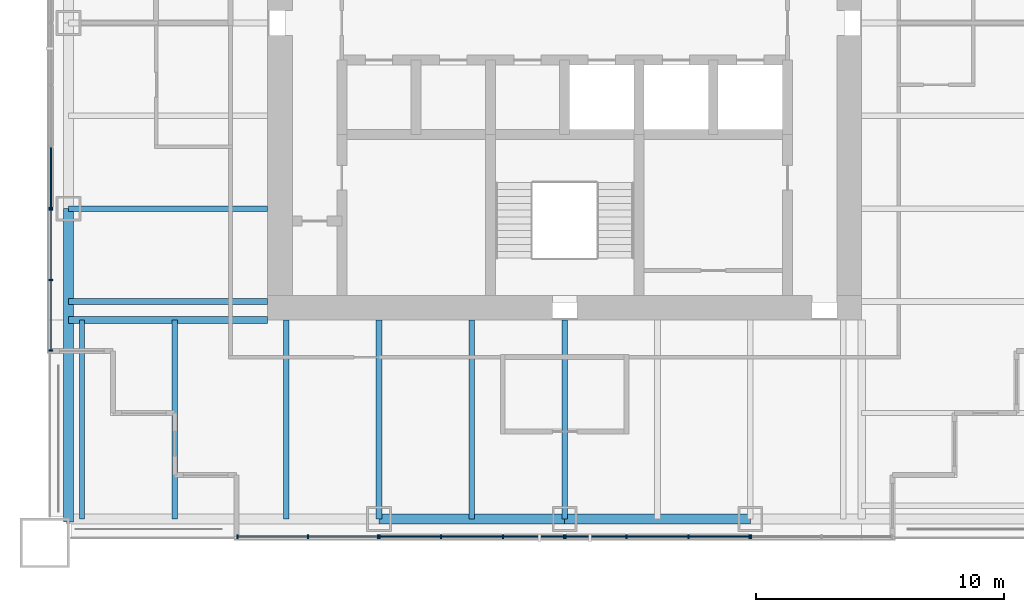
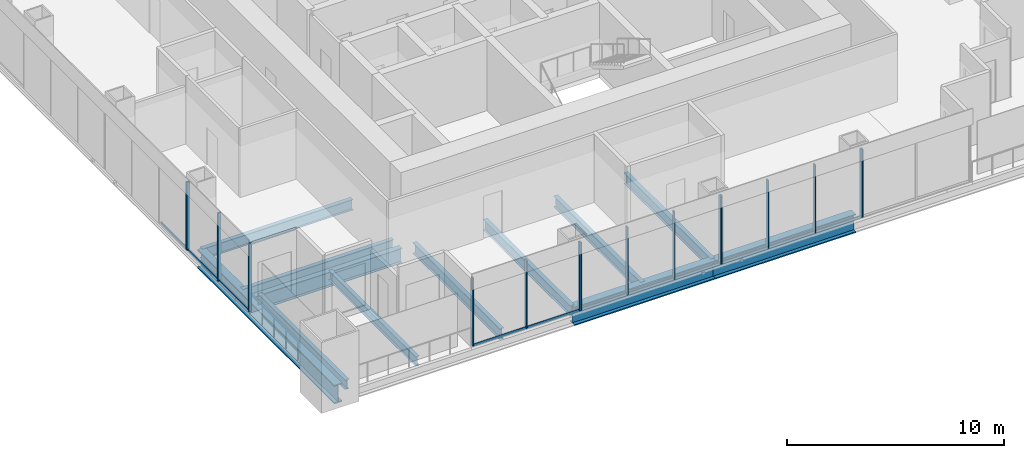
# One storey, part 2 of 14: 27 members, 12 beams, 6 elements without a shape of their own.
"""IFC4 building model written with IfcOpenShell, lengths in metres."""

from ifc_helpers import new_model, si_unit, direction, frame, origin, origin_2d, place, context, subcontext, project, spatial, rectangle, i_section, extrude, material, material_profile, profile_set, type_object, element, aggregate, save


model = new_model("IFC4")

# Units and contexts
model_context = context("Model", 3, precision=1e-05, world=origin(), true_north=direction((0.0, 1.0)))
body_context = subcontext(model_context, "Body", "Model", "MODEL_VIEW")
ifc_project = project(units=[si_unit("LENGTHUNIT", "METRE"), si_unit("AREAUNIT", "SQUARE_METRE"), si_unit("VOLUMEUNIT", "CUBIC_METRE"), si_unit("PLANEANGLEUNIT", "RADIAN"), si_unit("MASSUNIT", "GRAM", prefix="KILO")], contexts=[model_context])

# Site, building, storey
site_placement = place(None, origin())
site = spatial("IfcSite", under=ifc_project, at=site_placement, CompositionType="ELEMENT")
building_placement = place(site_placement, origin())
building = spatial("IfcBuilding", under=site, at=building_placement, Name="Tarangal Relay Tower", CompositionType="ELEMENT")
storey_placement = place(building_placement, frame((0.0, 0.0, 279.89990234375)))
storey = spatial("IfcBuildingStorey", under=building, at=storey_placement, Name="L61", CompositionType="ELEMENT", Elevation=279.89990234375)

# Beams
ifc_material_1 = material(Name="Steel ASTM A992", Category="steel")
ifc_material_profile_1 = material_profile(ifc_material_1, i_section(OverallWidth=0.209228515625, OverallDepth=0.533447265625, WebThickness=0.01025390625, FlangeThickness=0.015625, at=origin_2d()), Name="W21X62")
ifc_profile_set_1 = profile_set([ifc_material_profile_1], Name="Steel ASTM A992")
beam_type_1 = type_object("IfcBeamType", Name="Corner beam W21X62", PredefinedType="JOIST", material=ifc_profile_set_1)
for number, where, z_axis, x_axis, name in (
    (1, (-15.75, -12.0, -0.41650390625), (0.0, -1.0, 0.0), (1.0, 0.0, 0.0), "Corner beam CB12 S L61"),
    (2, (-19.5, -12.0, -0.41650390625), (0.0, -1.0, 0.0), (1.0, 0.0, 0.0), "Corner beam CB12 S L61"),
):
    element("IfcBeam", number, at=place(storey_placement, frame(where, z_axis=z_axis, x_axis=x_axis)), inside=storey, type_object=beam_type_1, Name=name, PredefinedType="JOIST", context=body_context, shape_type="SweptSolid", body=[
        extrude(i_section(OverallWidth=0.209228515625, OverallDepth=0.533447265625, WebThickness=0.01025390625, FlangeThickness=0.015625, at=origin_2d()), origin(), (0.0, 0.0, 1.0), 8.0400390625),
    ])
ifc_material_profile_2 = material_profile(ifc_material_1, i_section(OverallWidth=0.2919921875, OverallDepth=0.8408203125, WebThickness=0.0146484375, FlangeThickness=0.021728515625, at=origin_2d()), Name="W33X130")
ifc_profile_set_2 = profile_set([ifc_material_profile_2], Name="Steel ASTM A992")
beam_type_2 = type_object("IfcBeamType", Name="Corner girder W33X130", PredefinedType="BEAM", material=ifc_profile_set_2)
beam_1_placement = place(storey_placement, frame((-12.0, -12.0, -0.5703125), z_axis=(-1.0, 0.0, 0.0), x_axis=(0.0, -1.0, 0.0)))
element("IfcBeam", 3, at=beam_1_placement, inside=storey, type_object=beam_type_2, Name="Corner girder CG5 S L61", PredefinedType="BEAM", context=body_context, shape_type="SweptSolid", body=[
    extrude(i_section(OverallWidth=0.2919921875, OverallDepth=0.8408203125, WebThickness=0.0146484375, FlangeThickness=0.021728515625, at=origin_2d()), origin(), (0.0, 0.0, 1.0), 8.0400390625),
])
ifc_material_profile_3 = material_profile(ifc_material_1, i_section(OverallWidth=0.41162109375, OverallDepth=1.049072265625, WebThickness=0.033935546875, FlangeThickness=0.059814453125, at=origin_2d()), Name="W40X431")
ifc_profile_set_3 = profile_set([ifc_material_profile_3], Name="Steel ASTM A992")
beam_type_3 = type_object("IfcBeamType", Name="Edge girder W40X431", PredefinedType="SPANDREL", material=ifc_profile_set_3)
for number, where, z_axis, x_axis, name in (
    (4, (7.5, -20.0400390625, -0.67431640625), (-1.0, 0.0, 0.0), (0.0, -1.0, 0.0), "Edge girder EG1 S L61"),
    (5, (0.0, -20.0400390625, -0.67431640625), (-1.0, 0.0, 0.0), (0.0, -1.0, 0.0), "Edge girder EG1 S L61"),
):
    element("IfcBeam", number, at=place(storey_placement, frame(where, z_axis=z_axis, x_axis=x_axis)), inside=storey, type_object=beam_type_3, Name=name, PredefinedType="SPANDREL", context=body_context, shape_type="SweptSolid", body=[
        extrude(i_section(OverallWidth=0.41162109375, OverallDepth=1.049072265625, WebThickness=0.033935546875, FlangeThickness=0.059814453125, at=origin_2d()), origin(), (0.0, 0.0, 1.0), 7.5),
    ])
beam_2_placement = place(storey_placement, frame((-20.0400390625, -20.14990234375, -0.67431640625), z_axis=(0.0, 1.0, 0.0), x_axis=(-1.0, 0.0, 0.0)))
element("IfcBeam", 6, at=beam_2_placement, inside=storey, type_object=beam_type_3, Name="Edge girder EG1 W L61", PredefinedType="SPANDREL", context=body_context, shape_type="SweptSolid", body=[
    extrude(i_section(OverallWidth=0.41162109375, OverallDepth=1.049072265625, WebThickness=0.033935546875, FlangeThickness=0.059814453125, at=origin_2d()), origin(), (0.0, 0.0, 1.0), 12.64990234375),
])
ifc_material_profile_4 = material_profile(ifc_material_1, i_section(OverallWidth=0.228271484375, OverallDepth=0.607177734375, WebThickness=0.01123046875, FlangeThickness=0.017333984375, at=origin_2d()), Name="W24X76")
ifc_profile_set_4 = profile_set([ifc_material_profile_4], Name="Steel ASTM A992")
beam_type_4 = type_object("IfcBeamType", Name="Floor beam W24X76", PredefinedType="BEAM", material=ifc_profile_set_4)
for number, where, z_axis, x_axis, name in (
    (7, (0.0, -12.0, -0.453369140625), (0.0, -1.0, 0.0), (1.0, 0.0, 0.0), "Floor beam RB5 S L61"),
    (8, (-3.75, -12.0, -0.453369140625), (0.0, -1.0, 0.0), (1.0, 0.0, 0.0), "Floor beam RB5 S L61"),
    (9, (-7.5, -12.0, -0.453369140625), (0.0, -1.0, 0.0), (1.0, 0.0, 0.0), "Floor beam RB5 S L61"),
    (10, (-11.25, -12.0, -0.453369140625), (0.0, -1.0, 0.0), (1.0, 0.0, 0.0), "Floor beam RB5 S L61"),
    (11, (-12.0, -11.25, -0.453369140625), (-1.0, 0.0, 0.0), (0.0, -1.0, 0.0), "Floor beam RB5 W L61"),
    (12, (-12.0, -7.5, -0.453369140625), (-1.0, 0.0, 0.0), (0.0, -1.0, 0.0), "Floor beam RB5 W L61"),
):
    element("IfcBeam", number, at=place(storey_placement, frame(where, z_axis=z_axis, x_axis=x_axis)), inside=storey, type_object=beam_type_4, Name=name, PredefinedType="BEAM", context=body_context, shape_type="SweptSolid", body=[
        extrude(i_section(OverallWidth=0.228271484375, OverallDepth=0.607177734375, WebThickness=0.01123046875, FlangeThickness=0.017333984375, at=origin_2d()), origin(), (0.0, 0.0, 1.0), 8.0400390625),
    ])

# Curtain wall, member
ifc_material_2 = material(Name="Unitised curtain wall, dark glass and black aluminium", Category="aluminium")
curtain_wall_type_1 = type_object("IfcCurtainWallType", Name="Curtain wall CW-B", PredefinedType="USERDEFINED", material=ifc_material_2)
curtain_wall_1_placement = place(storey_placement, origin())
curtain_wall_1 = element("IfcCurtainWall", 13, at=curtain_wall_1_placement, inside=storey, type_object=curtain_wall_type_1, Name="Curtain wall CW-B S facade L61", ObjectType="UNITISED CURTAIN WALL", PredefinedType="USERDEFINED")
ifc_material_3 = material(Name="Black anodised aluminium mullion", Category="aluminium")
ifc_material_profile_5 = material_profile(ifc_material_3, rectangle(XDim=0.159912109375, YDim=0.06005859375, at=origin_2d()), Name="CW-BM 60X160")
ifc_profile_set_5 = profile_set([ifc_material_profile_5], Name="Black anodised aluminium mullion")
member_type_1 = type_object("IfcMemberType", Name="Mullion CW-B 60 x 160", PredefinedType="MULLION", material=ifc_profile_set_5)
member_1_placement = place(storey_placement, frame((7.530029296875, -20.75, 0.0), z_axis=(0.0, 0.0, 1.0), x_axis=(0.0, -1.0, 0.0)))
member_1 = element("IfcMember", 14, at=member_1_placement, type_object=member_type_1, Name="CW-B mullion 3", PredefinedType="MULLION", context=body_context, shape_type="SweptSolid", body=[
    extrude(rectangle(XDim=0.159912109375, YDim=0.06005859375, at=origin_2d()), origin(), (0.0, 0.0, 1.0), 3.85009765625),
])
aggregate(curtain_wall_1, [member_1])

# Curtain wall, members
curtain_wall_2_placement = place(storey_placement, origin())
curtain_wall_2 = element("IfcCurtainWall", 15, at=curtain_wall_2_placement, inside=storey, type_object=curtain_wall_type_1, Name="Curtain wall CW-B S facade L61", ObjectType="UNITISED CURTAIN WALL", PredefinedType="USERDEFINED")
member_2_placement = place(storey_placement, frame((-7.530029296875, -20.75, 0.0), z_axis=(0.0, 0.0, 1.0), x_axis=(0.0, -1.0, 0.0)))
member_2 = element("IfcMember", 16, at=member_2_placement, type_object=member_type_1, Name="CW-B mullion 1", PredefinedType="MULLION", context=body_context, shape_type="SweptSolid", body=[
    extrude(rectangle(XDim=0.159912109375, YDim=0.06005859375, at=origin_2d()), origin(), (0.0, 0.0, 1.0), 3.85009765625),
])
member_3_placement = place(storey_placement, frame((-10.375, -20.75, 0.0), z_axis=(0.0, 0.0, 1.0), x_axis=(0.0, -1.0, 0.0)))
member_3 = element("IfcMember", 17, at=member_3_placement, type_object=member_type_1, Name="CW-B mullion 2", PredefinedType="MULLION", context=body_context, shape_type="SweptSolid", body=[
    extrude(rectangle(XDim=0.159912109375, YDim=0.06005859375, at=origin_2d()), origin(), (0.0, 0.0, 1.0), 3.85009765625),
])
member_4_placement = place(storey_placement, frame((-13.219970703125, -20.75, 0.0), z_axis=(0.0, 0.0, 1.0), x_axis=(0.0, -1.0, 0.0)))
member_4 = element("IfcMember", 18, at=member_4_placement, type_object=member_type_1, Name="CW-B mullion 3", PredefinedType="MULLION", context=body_context, shape_type="SweptSolid", body=[
    extrude(rectangle(XDim=0.159912109375, YDim=0.06005859375, at=origin_2d()), origin(), (0.0, 0.0, 1.0), 3.85009765625),
])

curtain_wall_3_placement = place(storey_placement, origin())
curtain_wall_3 = element("IfcCurtainWall", 19, at=curtain_wall_3_placement, inside=storey, type_object=curtain_wall_type_1, Name="Curtain wall CW-B W facade L61", ObjectType="UNITISED CURTAIN WALL", PredefinedType="USERDEFINED")
member_5_placement = place(storey_placement, frame((-20.75, -13.219970703125, 0.0), z_axis=(0.0, 0.0, 1.0), x_axis=(-1.0, 0.0, 0.0)))
member_5 = element("IfcMember", 20, at=member_5_placement, type_object=member_type_1, Name="CW-B mullion 1", PredefinedType="MULLION", context=body_context, shape_type="SweptSolid", body=[
    extrude(rectangle(XDim=0.159912109375, YDim=0.06005859375, at=origin_2d()), origin(), (0.0, 0.0, 1.0), 3.85009765625),
])
member_6_placement = place(storey_placement, frame((-20.75, -10.375, 0.0), z_axis=(0.0, 0.0, 1.0), x_axis=(-1.0, 0.0, 0.0)))
member_6 = element("IfcMember", 21, at=member_6_placement, type_object=member_type_1, Name="CW-B mullion 2", PredefinedType="MULLION", context=body_context, shape_type="SweptSolid", body=[
    extrude(rectangle(XDim=0.159912109375, YDim=0.06005859375, at=origin_2d()), origin(), (0.0, 0.0, 1.0), 3.85009765625),
])
member_7_placement = place(storey_placement, frame((-20.75, -7.530029296875, 0.0), z_axis=(0.0, 0.0, 1.0), x_axis=(-1.0, 0.0, 0.0)))
member_7 = element("IfcMember", 22, at=member_7_placement, type_object=member_type_1, Name="CW-B mullion 3", PredefinedType="MULLION", context=body_context, shape_type="SweptSolid", body=[
    extrude(rectangle(XDim=0.159912109375, YDim=0.06005859375, at=origin_2d()), origin(), (0.0, 0.0, 1.0), 3.85009765625),
])

ifc_material_4 = material(Name="Unitised curtain wall frame, black aluminium, with metal clad infill walls", Category="aluminium")
curtain_wall_type_2 = type_object("IfcCurtainWallType", Name="Curtain wall CW-BO", PredefinedType="USERDEFINED", material=ifc_material_4)
curtain_wall_4_placement = place(storey_placement, origin())
curtain_wall_4 = element("IfcCurtainWall", 23, at=curtain_wall_4_placement, inside=storey, type_object=curtain_wall_type_2, Name="Curtain wall CW-BO S facade L61", ObjectType="UNITISED CURTAIN WALL", PredefinedType="USERDEFINED")
ifc_material_profile_6 = material_profile(ifc_material_3, rectangle(XDim=0.159912109375, YDim=0.06005859375, at=origin_2d()), Name="CW-BOM 60X160")
ifc_profile_set_6 = profile_set([ifc_material_profile_6], Name="Black anodised aluminium mullion")
member_type_2 = type_object("IfcMemberType", Name="Mullion CW-BO 60 x 160", PredefinedType="MULLION", material=ifc_profile_set_6)
member_8_placement = place(storey_placement, frame((7.469970703125, -20.75, 0.0), z_axis=(0.0, 0.0, 1.0), x_axis=(0.0, -1.0, 0.0)))
member_8 = element("IfcMember", 24, at=member_8_placement, type_object=member_type_2, Name="CW-BO mullion 1", PredefinedType="MULLION", context=body_context, shape_type="SweptSolid", body=[
    extrude(rectangle(XDim=0.159912109375, YDim=0.06005859375, at=origin_2d()), origin(), (0.0, 0.0, 1.0), 3.85009765625),
])
member_9_placement = place(storey_placement, frame((5.0, -20.75, 0.0), z_axis=(0.0, 0.0, 1.0), x_axis=(0.0, -1.0, 0.0)))
member_9 = element("IfcMember", 25, at=member_9_placement, type_object=member_type_2, Name="CW-BO mullion 2", PredefinedType="MULLION", context=body_context, shape_type="SweptSolid", body=[
    extrude(rectangle(XDim=0.159912109375, YDim=0.06005859375, at=origin_2d()), origin(), (0.0, 0.0, 1.0), 3.85009765625),
])
member_10_placement = place(storey_placement, frame((2.5, -20.75, 0.0), z_axis=(0.0, 0.0, 1.0), x_axis=(0.0, -1.0, 0.0)))
member_10 = element("IfcMember", 26, at=member_10_placement, type_object=member_type_2, Name="CW-BO mullion 3", PredefinedType="MULLION", context=body_context, shape_type="SweptSolid", body=[
    extrude(rectangle(XDim=0.159912109375, YDim=0.06005859375, at=origin_2d()), origin(), (0.0, 0.0, 1.0), 3.85009765625),
])
member_11_placement = place(storey_placement, frame((0.030029296875, -20.75, 0.0), z_axis=(0.0, 0.0, 1.0), x_axis=(0.0, -1.0, 0.0)))
member_11 = element("IfcMember", 27, at=member_11_placement, type_object=member_type_2, Name="CW-BO mullion 4", PredefinedType="MULLION", context=body_context, shape_type="SweptSolid", body=[
    extrude(rectangle(XDim=0.159912109375, YDim=0.06005859375, at=origin_2d()), origin(), (0.0, 0.0, 1.0), 3.85009765625),
])

curtain_wall_5_placement = place(storey_placement, origin())
curtain_wall_5 = element("IfcCurtainWall", 28, at=curtain_wall_5_placement, inside=storey, type_object=curtain_wall_type_2, Name="Curtain wall CW-BO S facade L61", ObjectType="UNITISED CURTAIN WALL", PredefinedType="USERDEFINED")
member_12_placement = place(storey_placement, frame((-0.030029296875, -20.75, 0.0), z_axis=(0.0, 0.0, 1.0), x_axis=(0.0, -1.0, 0.0)))
member_12 = element("IfcMember", 29, at=member_12_placement, type_object=member_type_2, Name="CW-BO mullion 1", PredefinedType="MULLION", context=body_context, shape_type="SweptSolid", body=[
    extrude(rectangle(XDim=0.159912109375, YDim=0.06005859375, at=origin_2d()), origin(), (0.0, 0.0, 1.0), 3.85009765625),
])
member_13_placement = place(storey_placement, frame((-2.5, -20.75, 0.0), z_axis=(0.0, 0.0, 1.0), x_axis=(0.0, -1.0, 0.0)))
member_13 = element("IfcMember", 30, at=member_13_placement, type_object=member_type_2, Name="CW-BO mullion 2", PredefinedType="MULLION", context=body_context, shape_type="SweptSolid", body=[
    extrude(rectangle(XDim=0.159912109375, YDim=0.06005859375, at=origin_2d()), origin(), (0.0, 0.0, 1.0), 3.85009765625),
])
member_14_placement = place(storey_placement, frame((-5.0, -20.75, 0.0), z_axis=(0.0, 0.0, 1.0), x_axis=(0.0, -1.0, 0.0)))
member_14 = element("IfcMember", 31, at=member_14_placement, type_object=member_type_2, Name="CW-BO mullion 3", PredefinedType="MULLION", context=body_context, shape_type="SweptSolid", body=[
    extrude(rectangle(XDim=0.159912109375, YDim=0.06005859375, at=origin_2d()), origin(), (0.0, 0.0, 1.0), 3.85009765625),
])
member_15_placement = place(storey_placement, frame((-7.469970703125, -20.75, 0.0), z_axis=(0.0, 0.0, 1.0), x_axis=(0.0, -1.0, 0.0)))
member_15 = element("IfcMember", 32, at=member_15_placement, type_object=member_type_2, Name="CW-BO mullion 4", PredefinedType="MULLION", context=body_context, shape_type="SweptSolid", body=[
    extrude(rectangle(XDim=0.159912109375, YDim=0.06005859375, at=origin_2d()), origin(), (0.0, 0.0, 1.0), 3.85009765625),
])

# Curtain wall, member
curtain_wall_6_placement = place(storey_placement, origin())
curtain_wall_6 = element("IfcCurtainWall", 33, at=curtain_wall_6_placement, inside=storey, type_object=curtain_wall_type_2, Name="Curtain wall CW-BO W facade L61", ObjectType="UNITISED CURTAIN WALL", PredefinedType="USERDEFINED")
member_16_placement = place(storey_placement, frame((-20.75, -7.469970703125, 0.0), z_axis=(0.0, 0.0, 1.0), x_axis=(-1.0, 0.0, 0.0)))
member_16 = element("IfcMember", 34, at=member_16_placement, type_object=member_type_2, Name="CW-BO mullion 1", PredefinedType="MULLION", context=body_context, shape_type="SweptSolid", body=[
    extrude(rectangle(XDim=0.159912109375, YDim=0.06005859375, at=origin_2d()), origin(), (0.0, 0.0, 1.0), 3.85009765625),
])

# Member
ifc_material_5 = material(Name="Black anodised aluminium transom", Category="aluminium")
ifc_material_profile_7 = material_profile(ifc_material_5, rectangle(XDim=0.06005859375, YDim=0.1298828125, at=origin_2d()), Name="CW-BT 60X130")
ifc_profile_set_7 = profile_set([ifc_material_profile_7], Name="Black anodised aluminium transom")
member_type_3 = type_object("IfcMemberType", Name="Transom CW-B 60 x 130", PredefinedType="USERDEFINED", material=ifc_profile_set_7)
member_17_placement = place(storey_placement, frame((-7.56005859375, -20.75, 0.030029296875), z_axis=(-1.0, 0.0, 0.0), x_axis=(0.0, -1.0, 0.0)))
member_17 = element("IfcMember", 35, at=member_17_placement, type_object=member_type_3, Name="CW-B transom 1.1", ObjectType="TRANSOM", PredefinedType="USERDEFINED", context=body_context, shape_type="SweptSolid", body=[
    extrude(rectangle(XDim=0.06005859375, YDim=0.1298828125, at=origin_2d()), origin(), (0.0, 0.0, 1.0), 2.784912109375),
])

member_18_placement = place(storey_placement, frame((-10.405029296875, -20.75, 0.030029296875), z_axis=(-1.0, 0.0, 0.0), x_axis=(0.0, -1.0, 0.0)))
member_18 = element("IfcMember", 36, at=member_18_placement, type_object=member_type_3, Name="CW-B transom 2.1", ObjectType="TRANSOM", PredefinedType="USERDEFINED", context=body_context, shape_type="SweptSolid", body=[
    extrude(rectangle(XDim=0.06005859375, YDim=0.1298828125, at=origin_2d()), origin(), (0.0, 0.0, 1.0), 2.784912109375),
])

aggregate(curtain_wall_2, [member_2, member_3, member_4, member_17, member_18])

member_19_placement = place(storey_placement, frame((-20.75, -13.18994140625, 0.030029296875), z_axis=(0.0, 1.0, 0.0), x_axis=(-1.0, 0.0, 0.0)))
member_19 = element("IfcMember", 37, at=member_19_placement, type_object=member_type_3, Name="CW-B transom 1.1", ObjectType="TRANSOM", PredefinedType="USERDEFINED", context=body_context, shape_type="SweptSolid", body=[
    extrude(rectangle(XDim=0.06005859375, YDim=0.1298828125, at=origin_2d()), origin(), (0.0, 0.0, 1.0), 2.784912109375),
])

member_20_placement = place(storey_placement, frame((-20.75, -10.344970703125, 0.030029296875), z_axis=(0.0, 1.0, 0.0), x_axis=(-1.0, 0.0, 0.0)))
member_20 = element("IfcMember", 38, at=member_20_placement, type_object=member_type_3, Name="CW-B transom 2.1", ObjectType="TRANSOM", PredefinedType="USERDEFINED", context=body_context, shape_type="SweptSolid", body=[
    extrude(rectangle(XDim=0.06005859375, YDim=0.1298828125, at=origin_2d()), origin(), (0.0, 0.0, 1.0), 2.784912109375),
])

aggregate(curtain_wall_3, [member_5, member_6, member_7, member_19, member_20])

ifc_material_profile_8 = material_profile(ifc_material_5, rectangle(XDim=0.06005859375, YDim=0.1298828125, at=origin_2d()), Name="CW-BOT 60X130")
ifc_profile_set_8 = profile_set([ifc_material_profile_8], Name="Black anodised aluminium transom")
member_type_4 = type_object("IfcMemberType", Name="Transom CW-BO 60 x 130", PredefinedType="USERDEFINED", material=ifc_profile_set_8)
member_21_placement = place(storey_placement, frame((7.43994140625, -20.75, 0.030029296875), z_axis=(-1.0, 0.0, 0.0), x_axis=(0.0, -1.0, 0.0)))
member_21 = element("IfcMember", 39, at=member_21_placement, type_object=member_type_4, Name="CW-BO transom 1.1", ObjectType="TRANSOM", PredefinedType="USERDEFINED", context=body_context, shape_type="SweptSolid", body=[
    extrude(rectangle(XDim=0.06005859375, YDim=0.1298828125, at=origin_2d()), origin(), (0.0, 0.0, 1.0), 2.409912109375),
])

member_22_placement = place(storey_placement, frame((4.969970703125, -20.75, 0.030029296875), z_axis=(-1.0, 0.0, 0.0), x_axis=(0.0, -1.0, 0.0)))
member_22 = element("IfcMember", 40, at=member_22_placement, type_object=member_type_4, Name="CW-BO transom 2.1", ObjectType="TRANSOM", PredefinedType="USERDEFINED", context=body_context, shape_type="SweptSolid", body=[
    extrude(rectangle(XDim=0.06005859375, YDim=0.1298828125, at=origin_2d()), origin(), (0.0, 0.0, 1.0), 2.43994140625),
])

member_23_placement = place(storey_placement, frame((2.469970703125, -20.75, 0.030029296875), z_axis=(-1.0, 0.0, 0.0), x_axis=(0.0, -1.0, 0.0)))
member_23 = element("IfcMember", 41, at=member_23_placement, type_object=member_type_4, Name="CW-BO transom 3.1", ObjectType="TRANSOM", PredefinedType="USERDEFINED", context=body_context, shape_type="SweptSolid", body=[
    extrude(rectangle(XDim=0.06005859375, YDim=0.1298828125, at=origin_2d()), origin(), (0.0, 0.0, 1.0), 2.409912109375),
])

aggregate(curtain_wall_4, [member_8, member_9, member_10, member_11, member_21, member_22, member_23])

member_24_placement = place(storey_placement, frame((-0.06005859375, -20.75, 0.030029296875), z_axis=(-1.0, 0.0, 0.0), x_axis=(0.0, -1.0, 0.0)))
member_24 = element("IfcMember", 42, at=member_24_placement, type_object=member_type_4, Name="CW-BO transom 1.1", ObjectType="TRANSOM", PredefinedType="USERDEFINED", context=body_context, shape_type="SweptSolid", body=[
    extrude(rectangle(XDim=0.06005859375, YDim=0.1298828125, at=origin_2d()), origin(), (0.0, 0.0, 1.0), 2.409912109375),
])

member_25_placement = place(storey_placement, frame((-2.530029296875, -20.75, 0.030029296875), z_axis=(-1.0, 0.0, 0.0), x_axis=(0.0, -1.0, 0.0)))
member_25 = element("IfcMember", 43, at=member_25_placement, type_object=member_type_4, Name="CW-BO transom 2.1", ObjectType="TRANSOM", PredefinedType="USERDEFINED", context=body_context, shape_type="SweptSolid", body=[
    extrude(rectangle(XDim=0.06005859375, YDim=0.1298828125, at=origin_2d()), origin(), (0.0, 0.0, 1.0), 2.43994140625),
])

member_26_placement = place(storey_placement, frame((-5.030029296875, -20.75, 0.030029296875), z_axis=(-1.0, 0.0, 0.0), x_axis=(0.0, -1.0, 0.0)))
member_26 = element("IfcMember", 44, at=member_26_placement, type_object=member_type_4, Name="CW-BO transom 3.1", ObjectType="TRANSOM", PredefinedType="USERDEFINED", context=body_context, shape_type="SweptSolid", body=[
    extrude(rectangle(XDim=0.06005859375, YDim=0.1298828125, at=origin_2d()), origin(), (0.0, 0.0, 1.0), 2.409912109375),
])

aggregate(curtain_wall_5, [member_12, member_13, member_14, member_15, member_24, member_25, member_26])

member_27_placement = place(storey_placement, frame((-20.75, -7.43994140625, 0.030029296875), z_axis=(0.0, 1.0, 0.0), x_axis=(-1.0, 0.0, 0.0)))
member_27 = element("IfcMember", 45, at=member_27_placement, type_object=member_type_4, Name="CW-BO transom 1.1", ObjectType="TRANSOM", PredefinedType="USERDEFINED", context=body_context, shape_type="SweptSolid", body=[
    extrude(rectangle(XDim=0.06005859375, YDim=0.1298828125, at=origin_2d()), origin(), (0.0, 0.0, 1.0), 2.409912109375),
])

aggregate(curtain_wall_6, [member_16, member_27])

save(model, "model.ifc")
